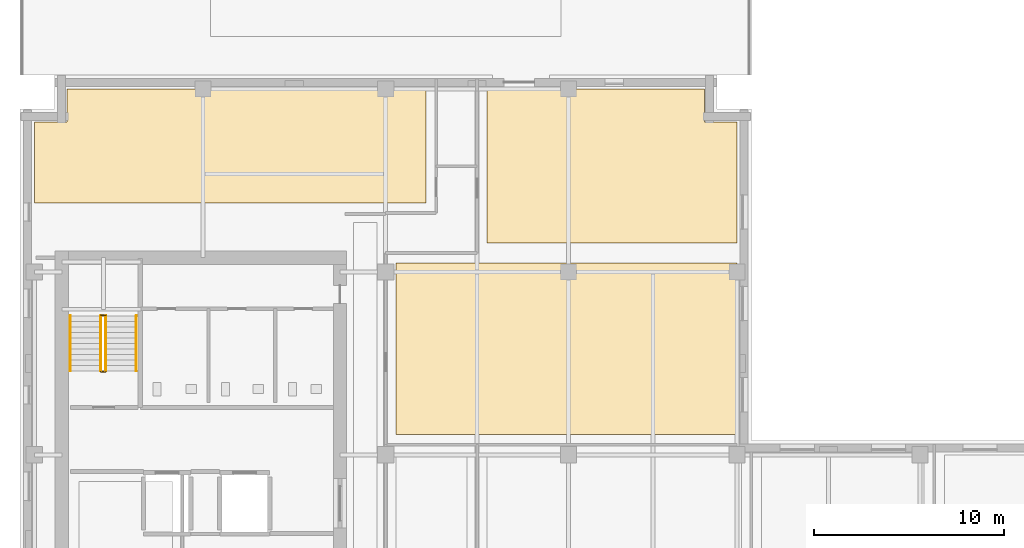
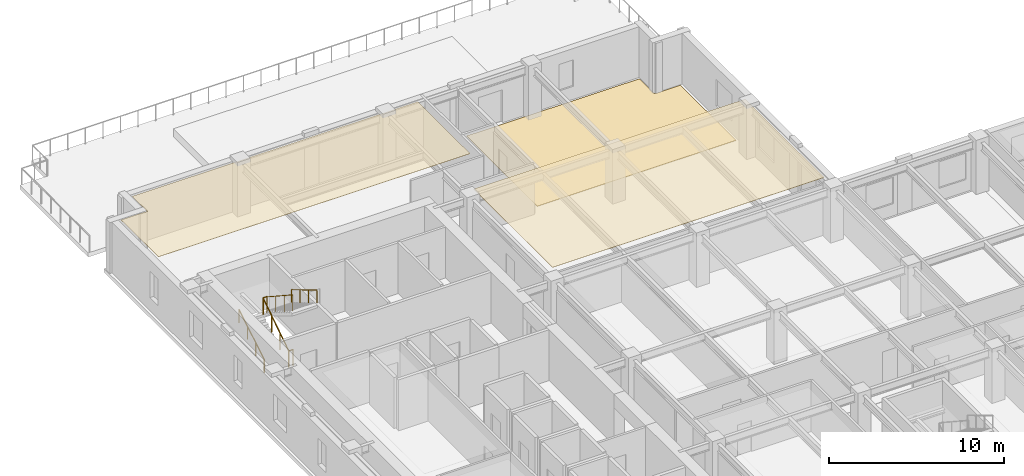
# One storey, part 10 of 12: 6 railings, 3 coverings.
"""IFC4 building model written with IfcOpenShell, lengths in metres."""

from ifc_helpers import new_model, si_unit, direction, frame, origin, origin_2d, place, context, subcontext, project, spatial, polyline, circle, outline, extrude, material, layer, layer_set, type_object, element, save


model = new_model("IFC4")

# Units and contexts
model_context = context("Model", 3, precision=1e-05, world=origin(), true_north=direction((0.0, 1.0)))
body_context = subcontext(model_context, "Body", "Model", "MODEL_VIEW")
ifc_project = project(units=[si_unit("LENGTHUNIT", "METRE"), si_unit("AREAUNIT", "SQUARE_METRE"), si_unit("VOLUMEUNIT", "CUBIC_METRE"), si_unit("PLANEANGLEUNIT", "RADIAN"), si_unit("MASSUNIT", "GRAM", prefix="KILO")], contexts=[model_context])

# Site, building, storey
site_placement = place(None, origin())
site = spatial("IfcSite", under=ifc_project, at=site_placement, CompositionType="ELEMENT")
building_placement = place(site_placement, origin())
building = spatial("IfcBuilding", under=site, at=building_placement, Name="Norrvale University Quadrangle", CompositionType="ELEMENT")
storey_placement = place(building_placement, frame((0.0, 0.0, 199.0)))
storey = spatial("IfcBuildingStorey", under=building, at=storey_placement, Name="L50", CompositionType="ELEMENT", Elevation=199.0)

# Coverings
ifc_material_1 = material(Name="Perforated Acoustic Mineral Ceiling")
ifc_layer_1 = layer(ifc_material_1, 0.02490234375, Name="Perforated Acoustic Mineral Ceiling")
ifc_layer_set_1 = layer_set([ifc_layer_1], Name="Perforated Acoustic Mineral Ceiling")
covering_type_1 = type_object("IfcCoveringType", Name="Covering Acoustic Ceiling 25", PredefinedType="CEILING", material=ifc_layer_set_1)
covering_1_placement = place(storey_placement, frame((0.0, 0.0, 3.514892578125)))
element("IfcCovering", 1, at=covering_1_placement, inside=storey, type_object=covering_type_1, Name="Acoustic Ceiling RM-L50-MNE01", PredefinedType="CEILING", context=body_context, shape_type="SweptSolid", body=[
    extrude(outline(polyline([(19.72998046875, 47.719970703125), (37.64990234375, 47.719970703125), (37.64990234375, 38.7099609375), (19.72998046875, 38.7099609375), (19.72998046875, 47.719970703125)])), origin(), (0.0, 0.0, 1.0), 0.025146484375),
])
covering_2_placement = place(storey_placement, frame((0.0, 0.0, 3.514892578125)))
element("IfcCovering", 2, at=covering_2_placement, inside=storey, type_object=covering_type_1, Name="Acoustic Ceiling RM-L50-NW01", PredefinedType="CEILING", context=body_context, shape_type="SweptSolid", body=[
    extrude(outline(polyline([(21.320068359375, 56.85009765625), (21.320068359375, 50.8798828125), (0.75, 50.8798828125), (0.75, 55.1298828125), (2.469970703125, 55.1298828125), (2.469970703125, 56.85009765625), (21.320068359375, 56.85009765625)])), origin(), (0.0, 0.0, 1.0), 0.025146484375),
])
ifc_material_2 = material(Name="Polished Terrazzo Flooring")
ifc_layer_2 = layer(ifc_material_2, 0.02490234375, Name="Polished Terrazzo Flooring")
ifc_layer_set_2 = layer_set([ifc_layer_2], Name="Polished Terrazzo Flooring")
covering_type_2 = type_object("IfcCoveringType", Name="Covering Terrazzo Floor 30", PredefinedType="FLOORING", material=ifc_layer_set_2)
covering_3_placement = place(storey_placement, origin())
element("IfcCovering", 3, at=covering_3_placement, inside=storey, type_object=covering_type_2, Name="Terrazzo Flooring RM-L50-NE01", PredefinedType="FLOORING", context=body_context, shape_type="SweptSolid", body=[
    extrude(outline(polyline([(37.64990234375, 48.780029296875), (24.530029296875, 48.780029296875), (24.530029296875, 56.85009765625), (35.929931640625, 56.85009765625), (35.929931640625, 55.1298828125), (37.64990234375, 55.1298828125), (37.64990234375, 48.780029296875)])), origin(), (0.0, 0.0, 1.0), 0.02490234375),
])

# Railings
ifc_material_3 = material(Name="Steel 350W Painted Balustrade", Category="steel")
railing_type_1 = type_object("IfcRailingType", Name="Railing Stair Guard 1100", PredefinedType="GUARDRAIL", material=ifc_material_3)
for number, where, name in (
    (4, (4.239990234375, 42.02001953125, 0.0), "Stair Floor Well Guard ST-02 L50"),
    (5, (4.239990234375, 44.97998046875, 1.89990234375), "Stair Mid-Landing Slot Guard ST-02 L50"),
):
    element("IfcRailing", number, at=place(storey_placement, frame(where)), inside=storey, type_object=railing_type_1, Name=name, PredefinedType="GUARDRAIL", context=body_context, shape_type="SweptSolid", body=[
        extrude(circle(Radius=0.02392578125, at=origin_2d()), frame((0.0, 0.0, 1.1259765625), z_axis=(1.0, 0.0, 0.0), x_axis=(0.0, 1.0, 0.0)), (0.0, 0.0, 1.0), 0.27001953125),
        extrude(circle(Radius=0.02099609375, at=origin_2d()), origin(), (0.0, 0.0, 1.0), 1.101806640625),
        extrude(circle(Radius=0.02099609375, at=origin_2d()), frame((0.27001953125, 0.0, 0.0)), (0.0, 0.0, 1.0), 1.101806640625),
    ])
railing_1_placement = place(storey_placement, frame((4.239990234375, 42.050048828125, 0.0)))
element("IfcRailing", 6, at=railing_1_placement, inside=storey, type_object=railing_type_1, Name="Stair Lower Flight Inner Guard ST-02 L50", PredefinedType="GUARDRAIL", context=body_context, shape_type="SweptSolid", body=[
    extrude(circle(Radius=0.02392578125, at=origin_2d()), frame((0.0, 0.0, 1.1259765625), z_axis=(0.0, 0.836465582154, 0.548019461216), x_axis=(-1.0, 0.0, 0.0)), (0.0, 0.0, 1.0), 3.466796875),
    extrude(circle(Radius=0.02099609375, at=origin_2d()), origin(), (0.0, 0.0, 1.0), 1.101806640625),
    extrude(circle(Radius=0.02099609375, at=origin_2d()), frame((0.0, 0.966552734375, 0.63330078125)), (0.0, 0.0, 1.0), 1.101806640625),
    extrude(circle(Radius=0.02099609375, at=origin_2d()), frame((0.0, 1.933349609375, 1.2666015625)), (0.0, 0.0, 1.0), 1.101806640625),
    extrude(circle(Radius=0.02099609375, at=origin_2d()), frame((0.0, 2.89990234375, 1.89990234375)), (0.0, 0.0, 1.0), 1.101806640625),
])
railing_2_placement = place(storey_placement, frame((4.510009765625, 44.949951171875, 1.89990234375)))
element("IfcRailing", 7, at=railing_2_placement, inside=storey, type_object=railing_type_1, Name="Stair Upper Flight Inner Guard ST-02 L50", PredefinedType="GUARDRAIL", context=body_context, shape_type="SweptSolid", body=[
    extrude(circle(Radius=0.02392578125, at=origin_2d()), frame((0.0, 0.0, 1.1259765625), z_axis=(0.0, -0.836433300813, 0.548068730445), x_axis=(1.0, 0.0, 0.0)), (0.0, 0.0, 1.0), 3.467041015625),
    extrude(circle(Radius=0.02099609375, at=origin_2d()), origin(), (0.0, 0.0, 1.0), 1.101806640625),
    extrude(circle(Radius=0.02099609375, at=origin_2d()), frame((0.0, -0.966552734375, 0.63330078125)), (0.0, 0.0, 1.0), 1.101806640625),
    extrude(circle(Radius=0.02099609375, at=origin_2d()), frame((0.0, -1.933349609375, 1.266845703125)), (0.0, 0.0, 1.0), 1.101806640625),
    extrude(circle(Radius=0.02099609375, at=origin_2d()), frame((0.0, -2.89990234375, 1.900146484375)), (0.0, 0.0, 1.0), 1.101806640625),
])
ifc_material_4 = material(Name="Stainless Steel 316L Handrail", Category="steel")
railing_type_2 = type_object("IfcRailingType", Name="Railing Stair Handrail 920", PredefinedType="HANDRAIL", material=ifc_material_4)
railing_3_placement = place(storey_placement, frame((2.639892578125, 42.050048828125, 0.172607421875)))
element("IfcRailing", 8, at=railing_3_placement, inside=storey, type_object=railing_type_2, Name="Stair Lower Flight Handrail ST-02 L50", PredefinedType="HANDRAIL", context=body_context, shape_type="SweptSolid", body=[
    extrude(circle(Radius=0.02392578125, at=origin_2d()), frame((0.0, 0.0, 0.89599609375), z_axis=(0.0, 0.859141464434, 0.511738159696), x_axis=(-1.0, 0.0, 0.0)), (0.0, 0.0, 1.0), 3.375244140625),
    extrude(circle(Radius=0.02099609375, at=origin_2d()), origin(), (0.0, 0.0, 1.0), 0.871826171875),
    extrude(circle(Radius=0.02099609375, at=origin_2d()), frame((0.0, 0.966552734375, 0.57568359375)), (0.0, 0.0, 1.0), 0.871826171875),
    extrude(circle(Radius=0.02099609375, at=origin_2d()), frame((0.0, 1.933349609375, 1.151611328125)), (0.0, 0.0, 1.0), 0.871826171875),
    extrude(circle(Radius=0.02099609375, at=origin_2d()), frame((0.0, 2.89990234375, 1.727294921875)), (0.0, 0.0, 1.0), 0.871826171875),
])
railing_4_placement = place(storey_placement, frame((6.110107421875, 44.949951171875, 2.07275390625)))
element("IfcRailing", 9, at=railing_4_placement, inside=storey, type_object=railing_type_2, Name="Stair Upper Flight Handrail ST-02 L50", PredefinedType="HANDRAIL", context=body_context, shape_type="SweptSolid", body=[
    extrude(circle(Radius=0.02392578125, at=origin_2d()), frame((0.0, 0.0, 0.89599609375), z_axis=(0.0, -0.859141464434, 0.511738159696), x_axis=(1.0, 0.0, 0.0)), (0.0, 0.0, 1.0), 3.375244140625),
    extrude(circle(Radius=0.02099609375, at=origin_2d()), origin(), (0.0, 0.0, 1.0), 0.871826171875),
    extrude(circle(Radius=0.02099609375, at=origin_2d()), frame((0.0, -0.966552734375, 0.57568359375)), (0.0, 0.0, 1.0), 0.871826171875),
    extrude(circle(Radius=0.02099609375, at=origin_2d()), frame((0.0, -1.933349609375, 1.151611328125)), (0.0, 0.0, 1.0), 0.871826171875),
    extrude(circle(Radius=0.02099609375, at=origin_2d()), frame((0.0, -2.89990234375, 1.727294921875)), (0.0, 0.0, 1.0), 0.871826171875),
])

save(model, "model.ifc")
